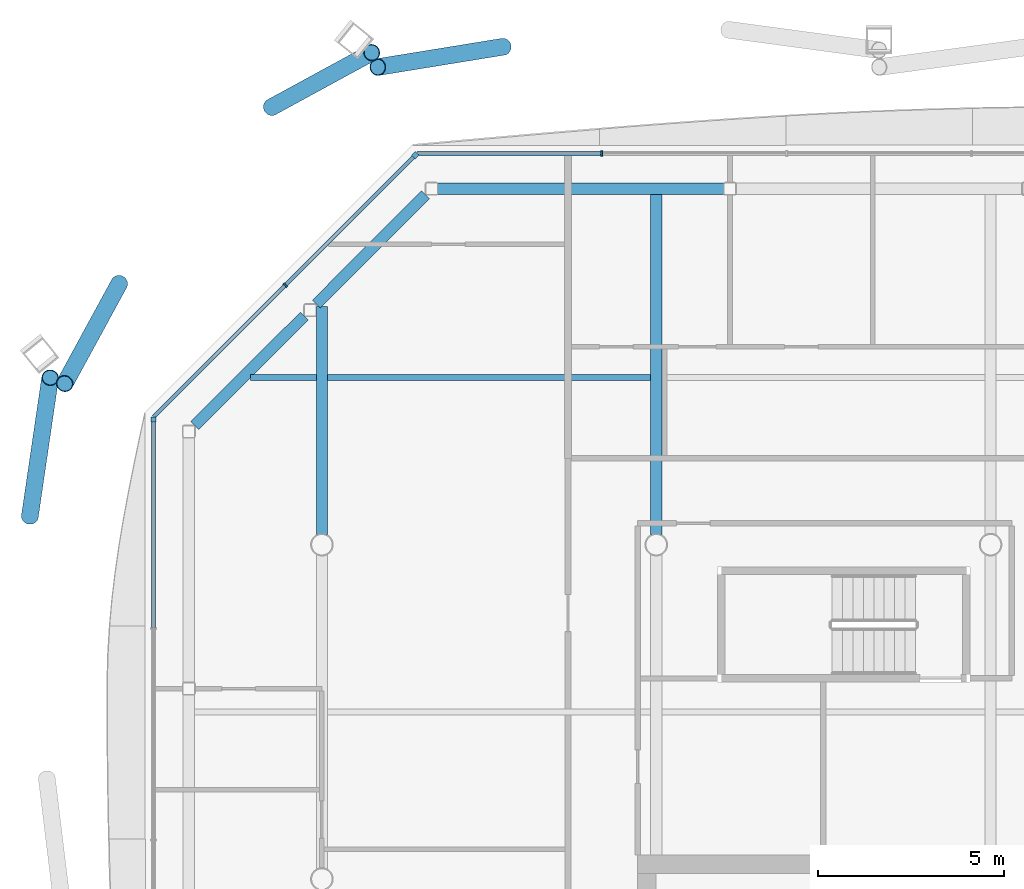
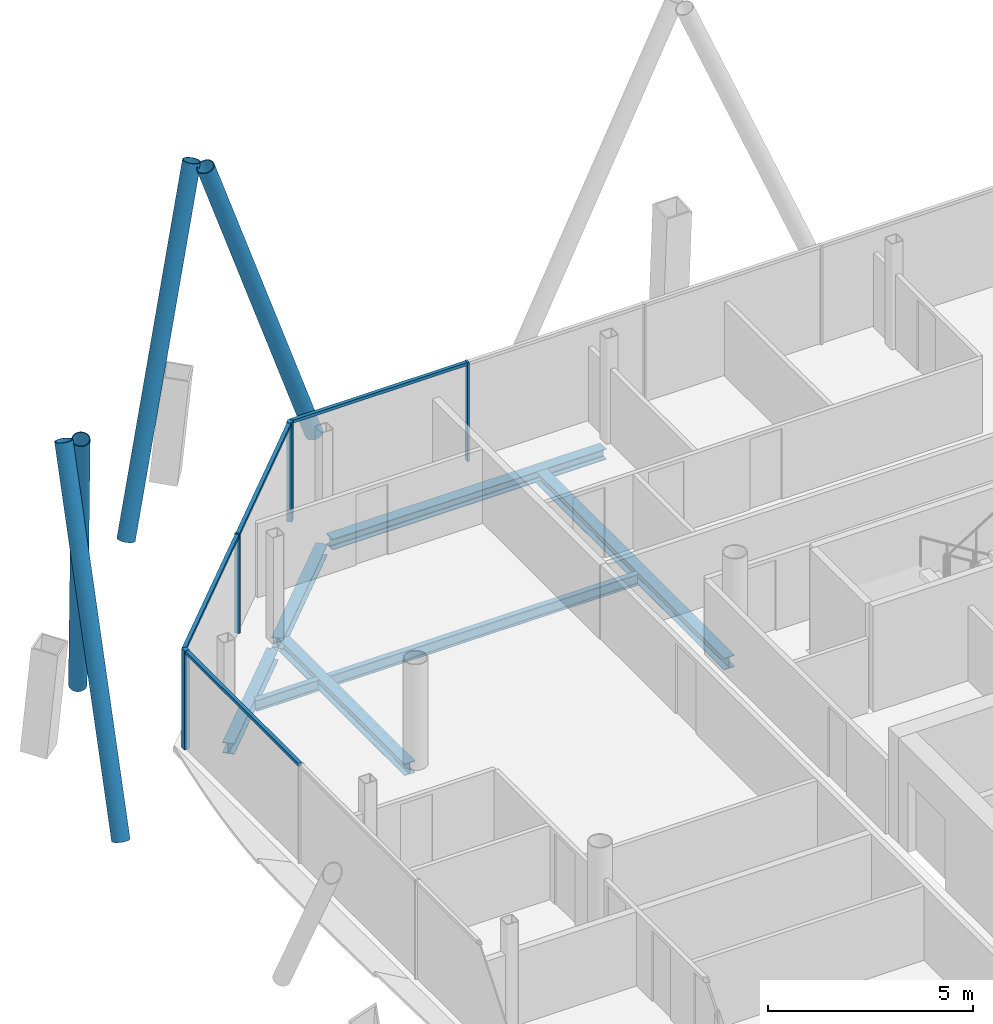
# One storey, part 10 of 20: 12 members, 7 beams, 3 elements without a shape of their own.
"""IFC4 building model written with IfcOpenShell, lengths in metres."""

from ifc_helpers import new_model, si_unit, direction, frame, origin, origin_2d, place, context, subcontext, project, spatial, rectangle, hollow_circle, i_section, extrude, material, material_profile, profile_set, type_object, element, aggregate, save


model = new_model("IFC4")

# Units and contexts
model_context = context("Model", 3, precision=1e-05, world=origin(), true_north=direction((0.0, 1.0)))
body_context = subcontext(model_context, "Body", "Model", "MODEL_VIEW")
ifc_project = project(units=[si_unit("LENGTHUNIT", "METRE"), si_unit("AREAUNIT", "SQUARE_METRE"), si_unit("VOLUMEUNIT", "CUBIC_METRE"), si_unit("PLANEANGLEUNIT", "RADIAN"), si_unit("MASSUNIT", "GRAM", prefix="KILO")], contexts=[model_context])

# Site, building, storey
site_placement = place(None, origin())
site = spatial("IfcSite", under=ifc_project, at=site_placement, CompositionType="ELEMENT")
building_placement = place(site_placement, origin())
building = spatial("IfcBuilding", under=site, at=building_placement, Name="Tskaro Facet Tower", CompositionType="ELEMENT")
storey_placement = place(building_placement, frame((0.0, 0.0, 200.550048828125)))
storey = spatial("IfcBuildingStorey", under=building, at=storey_placement, Name="L51", CompositionType="ELEMENT", Elevation=200.550048828125)

# Members
ifc_material_1 = material(Name="Steel S355J2H", Category="steel")
ifc_material_profile_1 = material_profile(ifc_material_1, hollow_circle(Radius=0.228515625, WallThickness=0.02001953125, at=origin_2d()), Name="CHS 457x20")
ifc_profile_set_1 = profile_set([ifc_material_profile_1], Name="Steel S355J2H")
member_type_1 = type_object("IfcMemberType", Name="CHS 457x20 brace", PredefinedType="BRACE", material=ifc_profile_set_1)
member_1_placement = place(storey_placement, frame((-13.122802734375, 22.404296875, 0.0), z_axis=(-0.335773117623, -0.054516668544, 0.940363943552), x_axis=(0.16026299412, -0.987074350146, 0.0)))
element("IfcMember", 1, at=member_1_placement, inside=storey, type_object=member_type_1, Name="CHS 457x20 XB08A/4", PredefinedType="BRACE", context=body_context, shape_type="SweptSolid", body=[
    extrude(hollow_circle(Radius=0.228515625, WallThickness=0.02001953125, at=origin_2d()), origin(), (0.0, 0.0, 1.0), 10.04931640625),
])
for number, where, z_axis, x_axis, name in (
    (2, (-23.4560546875, 16.0302734375, 0.0), (-0.147679248118, -0.27122854255, 0.951118245741), (0.878254135535, -0.478194179613, 0.0), "CHS 457x20 XB09A/4"),
    (3, (-19.353271484375, 20.779296875, 0.0), (0.271205777724, 0.147680232321, 0.951124584432), (-0.47822759759, 0.878235939201, 0.0), "CHS 457x20 XB09B/4"),
):
    element("IfcMember", number, at=place(storey_placement, frame(where, z_axis=z_axis, x_axis=x_axis)), inside=storey, type_object=member_type_1, Name=name, PredefinedType="BRACE", context=body_context, shape_type="SweptSolid", body=[
        extrude(hollow_circle(Radius=0.228515625, WallThickness=0.02001953125, at=origin_2d()), origin(), (0.0, 0.0, 1.0), 9.935546875),
    ])
member_2_placement = place(storey_placement, frame((-25.861328125, 9.76416015625, 0.0), z_axis=(0.053841420227, 0.36686065743, 0.928716511912), x_axis=(-0.989401283409, 0.145207094831, 0.0)))
element("IfcMember", 4, at=member_2_placement, inside=storey, type_object=member_type_1, Name="CHS 457x20 XB10B/4", PredefinedType="BRACE", context=body_context, shape_type="SweptSolid", body=[
    extrude(hollow_circle(Radius=0.228515625, WallThickness=0.02001953125, at=origin_2d()), origin(), (0.0, 0.0, 1.0), 10.17529296875),
])

# Curtain wall, member
ifc_material_2 = material(Name="Bronze anodised aluminium 6063-T6", Category="aluminium")
curtain_wall_type = type_object("IfcCurtainWallType", Name="Bronze residence curtain wall (FW3)", PredefinedType="NOTDEFINED", material=ifc_material_2)
curtain_wall_1_placement = place(storey_placement, origin())
curtain_wall_1 = element("IfcCurtainWall", 5, at=curtain_wall_1_placement, inside=storey, type_object=curtain_wall_type, Name="FW3 north-west facet L51", PredefinedType="NOTDEFINED")
ifc_material_profile_2 = material_profile(ifc_material_2, rectangle(XDim=0.139892578125, YDim=0.139892578125, at=origin_2d()), Name="Corner post 140x140")
ifc_profile_set_2 = profile_set([ifc_material_profile_2], Name="Bronze anodised aluminium 6063-T6")
member_type_2 = type_object("IfcMemberType", Name="FW3 bronze corner post 140x140", PredefinedType="MULLION", material=ifc_profile_set_2)
member_3_placement = place(storey_placement, frame((-15.488525390625, 19.4833984375, 0.0), z_axis=(0.0, 0.0, 1.0), x_axis=(-0.707106781187, -0.707106781187, 0.0)))
member_3 = element("IfcMember", 6, at=member_3_placement, type_object=member_type_2, Name="FW3 north-west corner post", PredefinedType="MULLION", context=body_context, shape_type="SweptSolid", body=[
    extrude(rectangle(XDim=0.139892578125, YDim=0.139892578125, at=origin_2d()), origin(), (0.0, 0.0, 1.0), 2.949951171875),
])

curtain_wall_2_placement = place(storey_placement, origin())
curtain_wall_2 = element("IfcCurtainWall", 7, at=curtain_wall_2_placement, inside=storey, type_object=curtain_wall_type, Name="FW3 west facet L51", PredefinedType="NOTDEFINED")
member_4_placement = place(storey_placement, frame((-22.532958984375, 12.368896484375, 0.0), z_axis=(0.0, 0.0, 1.0), x_axis=(0.0, -1.0, 0.0)))
member_4 = element("IfcMember", 8, at=member_4_placement, type_object=member_type_2, Name="FW3 west corner post", PredefinedType="MULLION", context=body_context, shape_type="SweptSolid", body=[
    extrude(rectangle(XDim=0.139892578125, YDim=0.139892578125, at=origin_2d()), origin(), (0.0, 0.0, 1.0), 2.949951171875),
])

curtain_wall_3_placement = place(storey_placement, origin())
curtain_wall_3 = element("IfcCurtainWall", 9, at=curtain_wall_3_placement, inside=storey, type_object=curtain_wall_type, Name="FW3 north facet L51", PredefinedType="NOTDEFINED")
ifc_material_profile_3 = material_profile(ifc_material_2, rectangle(XDim=0.050048828125, YDim=0.139892578125, at=origin_2d()), Name="Mullion 50x140")
ifc_profile_set_3 = profile_set([ifc_material_profile_3], Name="Bronze anodised aluminium 6063-T6")
member_type_3 = type_object("IfcMemberType", Name="FW3 bronze mullion 50x140", PredefinedType="MULLION", material=ifc_profile_set_3)
member_5_placement = place(storey_placement, frame((-10.46337890625, 19.532958984375, 0.0), z_axis=(0.0, 0.0, 1.0), x_axis=(-1.0, 0.0, 0.0)))
member_5 = element("IfcMember", 10, at=member_5_placement, type_object=member_type_3, Name="FW3 north mullion 4", PredefinedType="MULLION", context=body_context, shape_type="SweptSolid", body=[
    extrude(rectangle(XDim=0.050048828125, YDim=0.139892578125, at=origin_2d()), origin(), (0.0, 0.0, 1.0), 2.949951171875),
])

# Member
member_6_placement = place(storey_placement, frame((-18.986083984375, 15.986083984375, 0.0), z_axis=(0.0, 0.0, 1.0), x_axis=(-0.707106781187, -0.707106781187, 0.0)))
member_6 = element("IfcMember", 11, at=member_6_placement, type_object=member_type_3, Name="FW3 north-west mullion 1", PredefinedType="MULLION", context=body_context, shape_type="SweptSolid", body=[
    extrude(rectangle(XDim=0.050048828125, YDim=0.139892578125, at=origin_2d()), origin(), (0.0, 0.0, 1.0), 2.949951171875),
])

ifc_material_profile_4 = material_profile(ifc_material_2, rectangle(XDim=0.10009765625, YDim=0.090087890625, at=origin_2d()), Name="Transom 100x90")
ifc_profile_set_4 = profile_set([ifc_material_profile_4], Name="Bronze anodised aluminium 6063-T6")
member_type_4 = type_object("IfcMemberType", Name="FW3 bronze transom 100x90", PredefinedType="USERDEFINED", material=ifc_profile_set_4)
member_7_placement = place(storey_placement, frame((-10.48828125, 19.532958984375, 2.905029296875), z_axis=(-1.0, 0.0, 0.0), x_axis=(0.0, -1.0, 0.0)))
member_7 = element("IfcMember", 12, at=member_7_placement, type_object=member_type_4, Name="FW3 north transom 5.1", ObjectType="TRANSOM", PredefinedType="USERDEFINED", context=body_context, shape_type="SweptSolid", body=[
    extrude(rectangle(XDim=0.10009765625, YDim=0.090087890625, at=origin_2d()), origin(), (0.0, 0.0, 1.0), 4.95068359375),
])

aggregate(curtain_wall_3, [member_5, member_7])

member_8_placement = place(storey_placement, frame((-15.5380859375, 19.43408203125, 2.905029296875), z_axis=(-0.707081617692, -0.707131943786, 0.0), x_axis=(0.707131943786, -0.707081617692, 0.0)))
member_8 = element("IfcMember", 13, at=member_8_placement, type_object=member_type_4, Name="FW3 north-west transom 1.1", ObjectType="TRANSOM", PredefinedType="USERDEFINED", context=body_context, shape_type="SweptSolid", body=[
    extrude(rectangle(XDim=0.10009765625, YDim=0.090087890625, at=origin_2d()), origin(), (0.0, 0.0, 1.0), 4.85107421875),
])

member_9_placement = place(storey_placement, frame((-19.003662109375, 15.96826171875, 2.905029296875), z_axis=(-0.707106781187, -0.707106781187, 0.0), x_axis=(0.707106781187, -0.707106781187, 0.0)))
member_9 = element("IfcMember", 14, at=member_9_placement, type_object=member_type_4, Name="FW3 north-west transom 2.1", ObjectType="TRANSOM", PredefinedType="USERDEFINED", context=body_context, shape_type="SweptSolid", body=[
    extrude(rectangle(XDim=0.10009765625, YDim=0.090087890625, at=origin_2d()), origin(), (0.0, 0.0, 1.0), 4.9912109375),
])

aggregate(curtain_wall_1, [member_3, member_6, member_8, member_9])

member_10_placement = place(storey_placement, frame((-22.532958984375, 12.299072265625, 2.905029296875), z_axis=(0.0, -1.0, 0.0), x_axis=(1.0, 0.0, 0.0)))
member_10 = element("IfcMember", 15, at=member_10_placement, type_object=member_type_4, Name="FW3 west transom 1.1", ObjectType="TRANSOM", PredefinedType="USERDEFINED", context=body_context, shape_type="SweptSolid", body=[
    extrude(rectangle(XDim=0.10009765625, YDim=0.090087890625, at=origin_2d()), origin(), (0.0, 0.0, 1.0), 5.528076171875),
])

aggregate(curtain_wall_2, [member_4, member_10])

# Beams
ifc_material_3 = material(Name="Steel S355J2", Category="steel")
ifc_material_profile_5 = material_profile(ifc_material_3, i_section(OverallWidth=0.300048828125, OverallDepth=0.320068359375, WebThickness=0.011474609375, FlangeThickness=0.0205078125, FilletRadius=0.027099609375, at=origin_2d()), Name="HE 320 B")
ifc_profile_set_5 = profile_set([ifc_material_profile_5], Name="Steel S355J2")
beam_type_1 = type_object("IfcBeamType", Name="HE 320 B ring beam", PredefinedType="BEAM", material=ifc_profile_set_5)
beam_1_placement = place(storey_placement, frame((-7.169921875, 18.5830078125, -0.300048828125), z_axis=(-1.0, 0.0, 0.0), x_axis=(0.0, -1.0, 0.0)))
element("IfcBeam", 16, at=beam_1_placement, inside=storey, type_object=beam_type_1, Name="HE 320 B EB14-4", PredefinedType="BEAM", context=body_context, shape_type="SweptSolid", body=[
    extrude(i_section(OverallWidth=0.300048828125, OverallDepth=0.320068359375, WebThickness=0.011474609375, FlangeThickness=0.0205078125, FilletRadius=0.027099609375, at=origin_2d()), origin(), (0.0, 0.0, 1.0), 7.72119140625),
])
for number, where, z_axis, x_axis, name in (
    (17, (-15.206787109375, 18.422119140625, -0.300048828125), (-0.706989603829, -0.70722393913, 0.0), (0.70722393913, -0.706989603829, 0.0), "HE 320 B EB15-4"),
    (18, (-18.474853515625, 15.153076171875, -0.300048828125), (-0.70722393913, -0.706989603829, 0.0), (0.706989603829, -0.70722393913, 0.0), "HE 320 B EB16-4"),
):
    element("IfcBeam", number, at=place(storey_placement, frame(where, z_axis=z_axis, x_axis=x_axis)), inside=storey, type_object=beam_type_1, Name=name, PredefinedType="BEAM", context=body_context, shape_type="SweptSolid", body=[
        extrude(i_section(OverallWidth=0.300048828125, OverallDepth=0.320068359375, WebThickness=0.011474609375, FlangeThickness=0.0205078125, FilletRadius=0.027099609375, at=origin_2d()), origin(), (0.0, 0.0, 1.0), 4.16748046875),
    ])
ifc_material_profile_6 = material_profile(ifc_material_3, i_section(OverallWidth=0.300048828125, OverallDepth=0.35009765625, WebThickness=0.010009765625, FlangeThickness=0.017578125, FilletRadius=0.027099609375, at=origin_2d()), Name="HE 360 A")
ifc_profile_set_6 = profile_set([ifc_material_profile_6], Name="Steel S355J2")
beam_type_2 = type_object("IfcBeamType", Name="HE 360 A girder", PredefinedType="BEAM", material=ifc_profile_set_6)
beam_2_placement = place(storey_placement, frame((-18.0, 9.27490234375, -0.31494140625), z_axis=(0.0, 1.0, 0.0), x_axis=(-1.0, 0.0, 0.0)))
element("IfcBeam", 19, at=beam_2_placement, inside=storey, type_object=beam_type_2, Name="HE 360 A GB2-4-4", PredefinedType="BEAM", context=body_context, shape_type="SweptSolid", body=[
    extrude(i_section(OverallWidth=0.300048828125, OverallDepth=0.35009765625, WebThickness=0.010009765625, FlangeThickness=0.017578125, FilletRadius=0.027099609375, at=origin_2d()), origin(), (0.0, 0.0, 1.0), 6.14208984375),
])
beam_3_placement = place(storey_placement, frame((-9.0, 9.27490234375, -0.31494140625), z_axis=(0.0, 1.0, 0.0), x_axis=(-1.0, 0.0, 0.0)))
element("IfcBeam", 20, at=beam_3_placement, inside=storey, type_object=beam_type_2, Name="HE 360 A GB3-3-4", PredefinedType="BEAM", context=body_context, shape_type="SweptSolid", body=[
    extrude(i_section(OverallWidth=0.300048828125, OverallDepth=0.35009765625, WebThickness=0.010009765625, FlangeThickness=0.017578125, FilletRadius=0.027099609375, at=origin_2d()), origin(), (0.0, 0.0, 1.0), 9.158203125),
])
ifc_material_profile_7 = material_profile(ifc_material_3, i_section(OverallWidth=0.159912109375, OverallDepth=0.330078125, WebThickness=0.007568359375, FlangeThickness=0.011474609375, FilletRadius=0.01806640625, at=origin_2d()), Name="IPE 330")
ifc_profile_set_7 = profile_set([ifc_material_profile_7], Name="Steel S355J2")
beam_type_3 = type_object("IfcBeamType", Name="IPE 330 secondary beam", PredefinedType="BEAM", material=ifc_profile_set_7)
beam_4_placement = place(storey_placement, frame((-19.9169921875, 13.5, -0.304931640625), z_axis=(1.0, 0.0, 0.0), x_axis=(0.0, 1.0, 0.0)))
element("IfcBeam", 21, at=beam_4_placement, inside=storey, type_object=beam_type_3, Name="IPE 330 SB5a-1-4", PredefinedType="BEAM", context=body_context, shape_type="SweptSolid", body=[
    extrude(i_section(OverallWidth=0.159912109375, OverallDepth=0.330078125, WebThickness=0.007568359375, FlangeThickness=0.011474609375, FilletRadius=0.01806640625, at=origin_2d()), origin(), (0.0, 0.0, 1.0), 1.76708984375),
])
beam_5_placement = place(storey_placement, frame((-17.85009765625, 13.5, -0.304931640625), z_axis=(1.0, 0.0, 0.0), x_axis=(0.0, 1.0, 0.0)))
element("IfcBeam", 22, at=beam_5_placement, inside=storey, type_object=beam_type_3, Name="IPE 330 SB5a-2-4", PredefinedType="BEAM", context=body_context, shape_type="SweptSolid", body=[
    extrude(i_section(OverallWidth=0.159912109375, OverallDepth=0.330078125, WebThickness=0.007568359375, FlangeThickness=0.011474609375, FilletRadius=0.01806640625, at=origin_2d()), origin(), (0.0, 0.0, 1.0), 8.7001953125),
])

save(model, "model.ifc")
